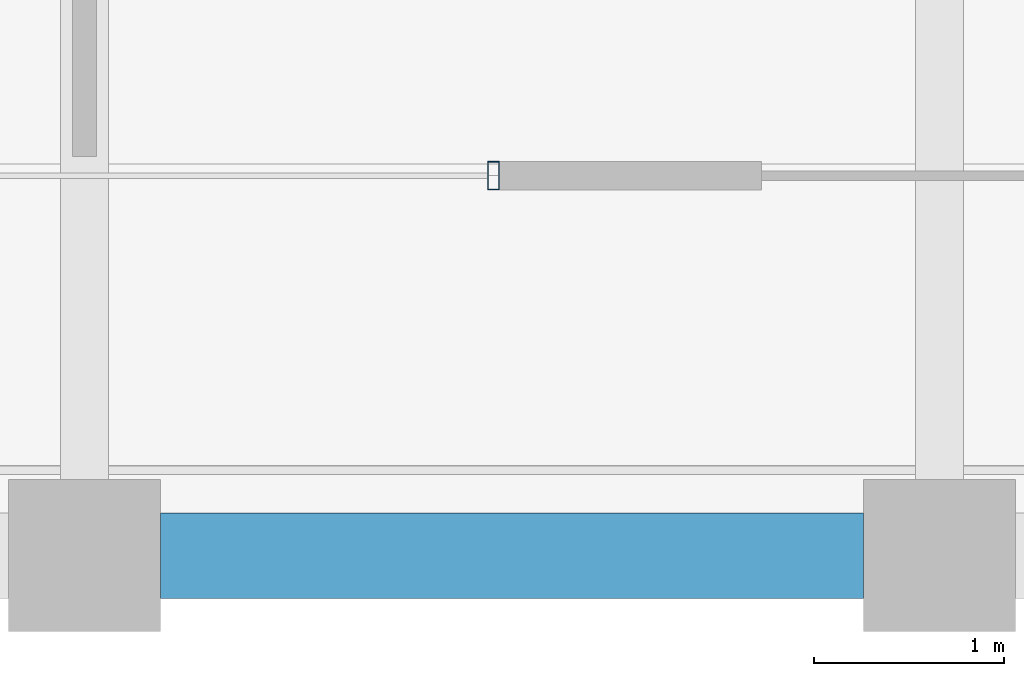
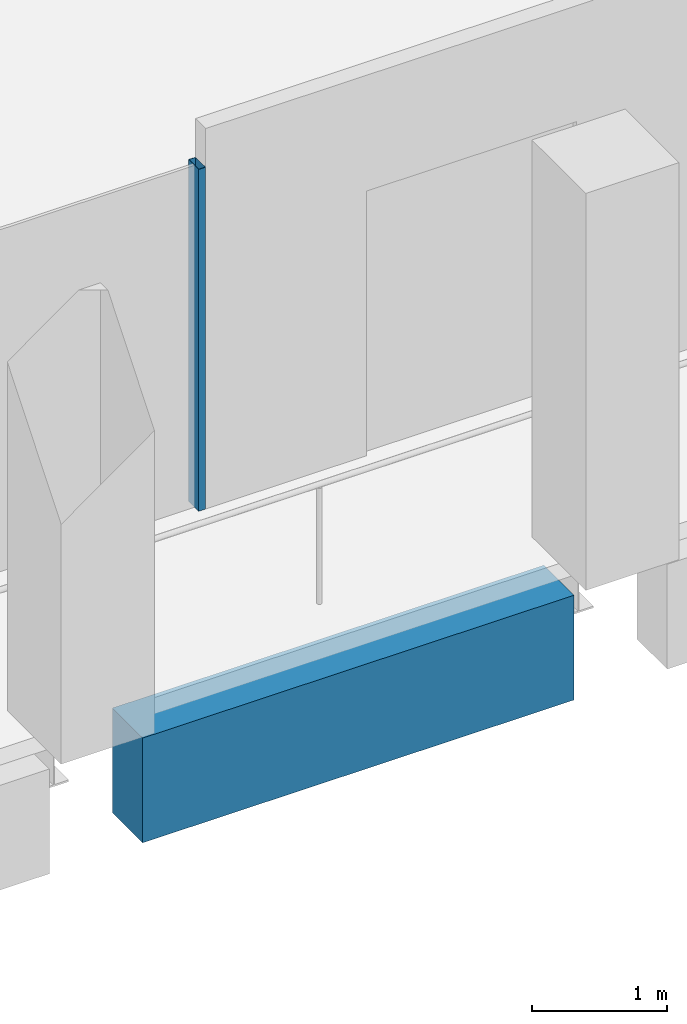
# One storey, part 7 of 40: 1 beam, 1 member, 1 element without a shape of its own.
"""IFC4 building model written with IfcOpenShell, lengths in metres."""

from ifc_helpers import new_model, si_unit, direction, frame, origin, origin_2d, place, context, subcontext, project, spatial, rectangle, hollow_rectangle, extrude, material, material_profile, profile_set, type_object, element, aggregate, save


model = new_model("IFC4")

# Units and contexts
model_context = context("Model", 3, precision=1e-05, world=origin(), true_north=direction((0.0, 1.0)))
body_context = subcontext(model_context, "Body", "Model", "MODEL_VIEW")
ifc_project = project(units=[si_unit("LENGTHUNIT", "METRE"), si_unit("AREAUNIT", "SQUARE_METRE"), si_unit("VOLUMEUNIT", "CUBIC_METRE"), si_unit("PLANEANGLEUNIT", "RADIAN"), si_unit("MASSUNIT", "GRAM", prefix="KILO")], contexts=[model_context])

# Site, building, storey
site_placement = place(None, origin())
site = spatial("IfcSite", under=ifc_project, at=site_placement, CompositionType="ELEMENT")
building_placement = place(site_placement, origin())
building = spatial("IfcBuilding", under=site, at=building_placement, Name="Altepetl Exchange Towers", CompositionType="ELEMENT")
storey_placement = place(building_placement, frame((0.0, 0.0, 202.800048828125)))
storey = spatial("IfcBuildingStorey", under=building, at=storey_placement, Name="L51", CompositionType="ELEMENT", Elevation=202.800048828125)

# Curtain wall, member
ifc_material_1 = material(Name="Aluminium 6063-T6 glazing", Category="aluminium")
curtain_wall_type = type_object("IfcCurtainWallType", Name="Loggia glazing system", PredefinedType="NOTDEFINED", material=ifc_material_1)
curtain_wall_placement = place(storey_placement, origin())
curtain_wall = element("IfcCurtainWall", 1, at=curtain_wall_placement, inside=storey, type_object=curtain_wall_type, Name="CW1 run", PredefinedType="NOTDEFINED")
ifc_material_2 = material(Name="Aluminium 6063-T6", Category="aluminium")
ifc_material_profile_1 = material_profile(ifc_material_2, hollow_rectangle(XDim=0.06005859375, YDim=0.14990234375, WallThickness=0.0029296875, at=origin_2d()), Name="Mullion 60x150 aluminium")
ifc_profile_set_1 = profile_set([ifc_material_profile_1], Name="Aluminium 6063-T6")
member_type = type_object("IfcMemberType", Name="Mullion 60x150 aluminium", PredefinedType="MULLION", material=ifc_profile_set_1)
member_placement = place(storey_placement, frame((47.152099609375, 29.0, 0.0)))
member = element("IfcMember", 2, at=member_placement, type_object=member_type, Name="MU1 mullion", PredefinedType="MULLION", context=body_context, shape_type="SweptSolid", body=[
    extrude(hollow_rectangle(XDim=0.06005859375, YDim=0.14990234375, WallThickness=0.0029296875, at=origin_2d()), origin(), (0.0, 0.0, 1.0), 3.099853515625),
])
aggregate(curtain_wall, [member])

# Beam
ifc_material_3 = material(Name="Concrete C50/60 precast with cantera blanca facing", Category="concrete")
ifc_material_profile_2 = material_profile(ifc_material_3, rectangle(XDim=0.449951171875, YDim=0.949951171875, at=origin_2d()), Name="450 x 950")
ifc_profile_set_2 = profile_set([ifc_material_profile_2], Name="Concrete C50/60 precast with cantera blanca facing")
beam_type = type_object("IfcBeamType", Name="Spandrel beam 450x950 cantera blanca", PredefinedType="SPANDREL", material=ifc_profile_set_2)
beam_placement = place(storey_placement, frame((45.39990234375, 27.0, -0.625), z_axis=(1.0, 0.0, 0.0), x_axis=(0.0, 1.0, 0.0)))
element("IfcBeam", 3, at=beam_placement, inside=storey, type_object=beam_type, Name="sp:A:L51:003", PredefinedType="SPANDREL", context=body_context, shape_type="SweptSolid", body=[
    extrude(rectangle(XDim=0.449951171875, YDim=0.949951171875, at=origin_2d()), origin(), (0.0, 0.0, 1.0), 3.7001953125),
])

save(model, "model.ifc")
